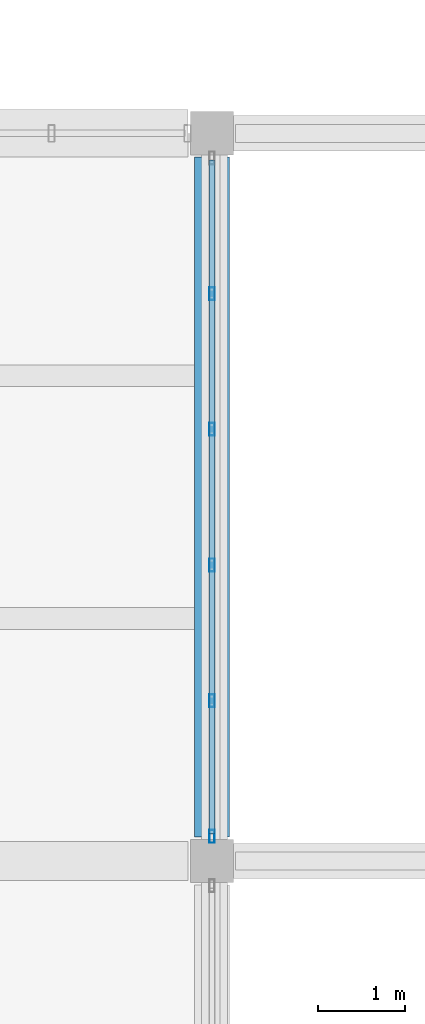
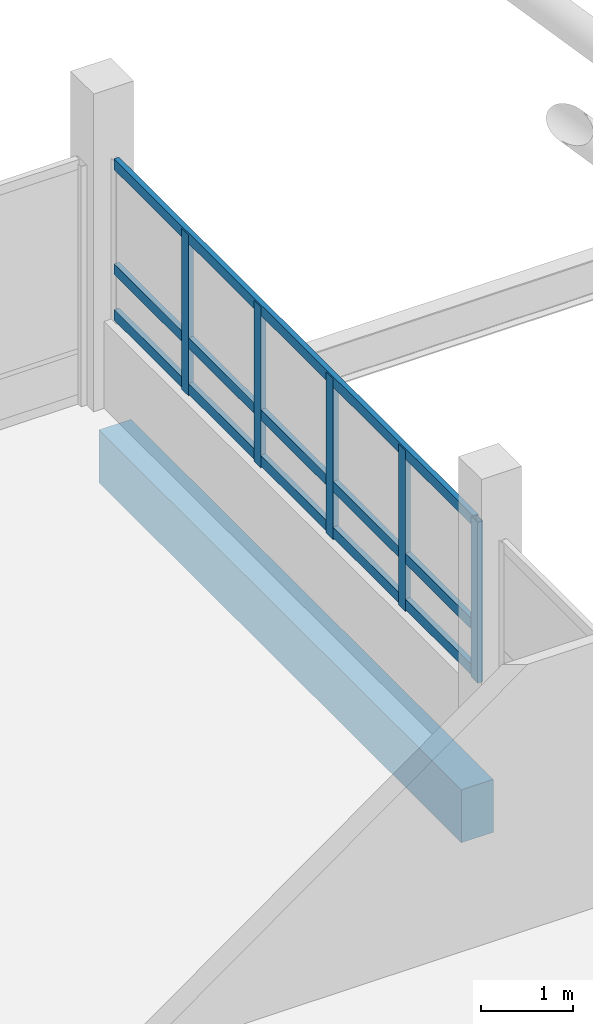
# One storey, part 42 of 107: 8 members, 1 beam, 1 element without a shape of its own.
"""IFC4 building model written with IfcOpenShell, lengths in metres."""

from ifc_helpers import new_model, si_unit, direction, frame, origin, origin_2d, place, context, subcontext, project, spatial, rectangle, hollow_rectangle, extrude, material, layer, layer_set, material_profile, profile_set, type_object, element, aggregate, save


model = new_model("IFC4")

# Units and contexts
model_context = context("Model", 3, precision=1e-05, world=origin(), true_north=direction((0.0, 1.0)))
body_context = subcontext(model_context, "Body", "Model", "MODEL_VIEW")
ifc_project = project(units=[si_unit("LENGTHUNIT", "METRE"), si_unit("AREAUNIT", "SQUARE_METRE"), si_unit("VOLUMEUNIT", "CUBIC_METRE"), si_unit("PLANEANGLEUNIT", "RADIAN"), si_unit("MASSUNIT", "GRAM", prefix="KILO")], contexts=[model_context])

# Site, building, storey
site_placement = place(None, origin())
site = spatial("IfcSite", under=ifc_project, at=site_placement, CompositionType="ELEMENT")
building_placement = place(site_placement, origin())
building = spatial("IfcBuilding", under=site, at=building_placement, Name="Vireocrest Preparatory School", CompositionType="ELEMENT")
storey_placement = place(building_placement, frame((0.0, 0.0, 13.199951171875)))
storey = spatial("IfcBuildingStorey", under=building, at=storey_placement, Name="L03", CompositionType="ELEMENT", Elevation=13.199951171875)

# Curtain wall, members
ifc_material_1 = material(Name="Thermally broken aluminium EN AW-6063-T6", Category="aluminium")
ifc_layer = layer(ifc_material_1, 0.179931640625)
ifc_layer_set = layer_set([ifc_layer], Name="Thermally broken aluminium EN AW-6063-T6")
curtain_wall_type = type_object("IfcCurtainWallType", Name="Court Banded Curtain Wall 8400x3000", PredefinedType="USERDEFINED", material=ifc_layer_set)
curtain_wall_placement = place(storey_placement, origin())
curtain_wall = element("IfcCurtainWall", 1, at=curtain_wall_placement, inside=storey, type_object=curtain_wall_type, Name="Curtain Wall CW02 CW_L03_CW02_0672_0776_144", ObjectType="CURTAIN WALL", PredefinedType="USERDEFINED")
ifc_material_profile_1 = material_profile(ifc_material_1, hollow_rectangle(XDim=0.06494140625, YDim=0.14990234375, WallThickness=0.00390625, at=origin_2d()), Name="ALU 65x150x4")
ifc_profile_set_1 = profile_set([ifc_material_profile_1], Name="Thermally broken aluminium EN AW-6063-T6")
member_type_1 = type_object("IfcMemberType", Name="CW Mullion 65x150x4", PredefinedType="MULLION", material=ifc_profile_set_1)
member_1_placement = place(storey_placement, frame((67.199951171875, 77.68505859375, 1.150146484375), z_axis=(0.0, 0.0, 1.0), x_axis=(1.0, 0.0, 0.0)))
member_1 = element("IfcMember", 2, at=member_1_placement, type_object=member_type_1, Name="CW Mullion ML1 CW_L03_CW02_0672_0776_144-1", PredefinedType="MULLION", context=body_context, shape_type="SweptSolid", body=[
    extrude(hollow_rectangle(XDim=0.06494140625, YDim=0.14990234375, WallThickness=0.00390625, at=origin_2d()), origin(), (0.0, 0.0, 1.0), 2.125),
])
member_2_placement = place(storey_placement, frame((67.199951171875, 79.2509765625, 1.150146484375), z_axis=(0.0, 0.0, 1.0), x_axis=(1.0, 0.0, 0.0)))
member_2 = element("IfcMember", 3, at=member_2_placement, type_object=member_type_1, Name="CW Mullion ML1 CW_L03_CW02_0672_0776_144-2", PredefinedType="MULLION", context=body_context, shape_type="SweptSolid", body=[
    extrude(hollow_rectangle(XDim=0.06494140625, YDim=0.14990234375, WallThickness=0.00390625, at=origin_2d()), origin(), (0.0, 0.0, 1.0), 2.125),
])
member_3_placement = place(storey_placement, frame((67.199951171875, 80.81689453125, 1.150146484375), z_axis=(0.0, 0.0, 1.0), x_axis=(1.0, 0.0, 0.0)))
member_3 = element("IfcMember", 4, at=member_3_placement, type_object=member_type_1, Name="CW Mullion ML1 CW_L03_CW02_0672_0776_144-3", PredefinedType="MULLION", context=body_context, shape_type="SweptSolid", body=[
    extrude(hollow_rectangle(XDim=0.06494140625, YDim=0.14990234375, WallThickness=0.00390625, at=origin_2d()), origin(), (0.0, 0.0, 1.0), 2.125),
])
member_4_placement = place(storey_placement, frame((67.199951171875, 82.383056640625, 1.150146484375), z_axis=(0.0, 0.0, 1.0), x_axis=(1.0, 0.0, 0.0)))
member_4 = element("IfcMember", 5, at=member_4_placement, type_object=member_type_1, Name="CW Mullion ML1 CW_L03_CW02_0672_0776_144-4", PredefinedType="MULLION", context=body_context, shape_type="SweptSolid", body=[
    extrude(hollow_rectangle(XDim=0.06494140625, YDim=0.14990234375, WallThickness=0.00390625, at=origin_2d()), origin(), (0.0, 0.0, 1.0), 2.125),
])
member_5_placement = place(storey_placement, frame((67.199951171875, 83.948974609375, 1.150146484375), z_axis=(0.0, 0.0, 1.0), x_axis=(1.0, 0.0, 0.0)))
member_5 = element("IfcMember", 6, at=member_5_placement, type_object=member_type_1, Name="CW Mullion ML1 CW_L03_CW02_0672_0776_144-5", PredefinedType="MULLION", context=body_context, shape_type="SweptSolid", body=[
    extrude(hollow_rectangle(XDim=0.06494140625, YDim=0.14990234375, WallThickness=0.00390625, at=origin_2d()), origin(), (0.0, 0.0, 1.0), 2.125),
])
ifc_material_profile_2 = material_profile(ifc_material_1, hollow_rectangle(XDim=0.06494140625, YDim=0.139892578125, WallThickness=0.00390625, at=origin_2d()), Name="ALU 65x140x4")
ifc_profile_set_2 = profile_set([ifc_material_profile_2], Name="Thermally broken aluminium EN AW-6063-T6")
member_type_2 = type_object("IfcMemberType", Name="CW Transom 65x140x4", PredefinedType="USERDEFINED", material=ifc_profile_set_2)
member_6_placement = place(storey_placement, frame((67.199951171875, 77.7099609375, 1.2451171875), z_axis=(0.0, 1.0, 0.0), x_axis=(-1.0, 0.0, 0.0)))
member_6 = element("IfcMember", 7, at=member_6_placement, type_object=member_type_2, Name="CW Transom TR1 CW_L03_CW02_0672_0776_144-1", ObjectType="TRANSOM", PredefinedType="USERDEFINED", context=body_context, shape_type="SweptSolid", body=[
    extrude(hollow_rectangle(XDim=0.06494140625, YDim=0.139892578125, WallThickness=0.00390625, at=origin_2d()), origin(), (0.0, 0.0, 1.0), 7.780029296875),
])
member_7_placement = place(storey_placement, frame((67.199951171875, 77.7099609375, 1.85009765625), z_axis=(0.0, 1.0, 0.0), x_axis=(-1.0, 0.0, 0.0)))
member_7 = element("IfcMember", 8, at=member_7_placement, type_object=member_type_2, Name="CW Transom TR1 CW_L03_CW02_0672_0776_144-2", ObjectType="TRANSOM", PredefinedType="USERDEFINED", context=body_context, shape_type="SweptSolid", body=[
    extrude(hollow_rectangle(XDim=0.06494140625, YDim=0.139892578125, WallThickness=0.00390625, at=origin_2d()), origin(), (0.0, 0.0, 1.0), 7.780029296875),
])
member_8_placement = place(storey_placement, frame((67.199951171875, 77.7099609375, 3.235107421875), z_axis=(0.0, 1.0, 0.0), x_axis=(-1.0, 0.0, 0.0)))
member_8 = element("IfcMember", 9, at=member_8_placement, type_object=member_type_2, Name="CW Transom TR1 CW_L03_CW02_0672_0776_144-3", ObjectType="TRANSOM", PredefinedType="USERDEFINED", context=body_context, shape_type="SweptSolid", body=[
    extrude(hollow_rectangle(XDim=0.06494140625, YDim=0.139892578125, WallThickness=0.00390625, at=origin_2d()), origin(), (0.0, 0.0, 1.0), 7.780029296875),
])
aggregate(curtain_wall, [member_1, member_2, member_3, member_4, member_5, member_6, member_7, member_8])

# Beam
ifc_material_2 = material(Name="Concrete 40 MPa", Category="concrete")
ifc_material_profile_3 = material_profile(ifc_material_2, rectangle(XDim=0.39990234375, YDim=0.699951171875, at=origin_2d()), Name="RC 400x700")
ifc_profile_set_3 = profile_set([ifc_material_profile_3], Name="Concrete 40 MPa")
beam_type = type_object("IfcBeamType", Name="RC Corridor Girder 400x700", PredefinedType="BEAM", material=ifc_profile_set_3)
beam_placement = place(storey_placement, frame((67.199951171875, 77.675048828125, -0.58984375), z_axis=(0.0, 1.0, 0.0), x_axis=(-1.0, 0.0, 0.0)))
element("IfcBeam", 10, at=beam_placement, inside=storey, type_object=beam_type, Name="Primary Girder B08 L03-1135", PredefinedType="BEAM", context=body_context, shape_type="SweptSolid", body=[
    extrude(rectangle(XDim=0.39990234375, YDim=0.699951171875, at=origin_2d()), origin(), (0.0, 0.0, 1.0), 7.849853515625),
])

save(model, "model.ifc")
